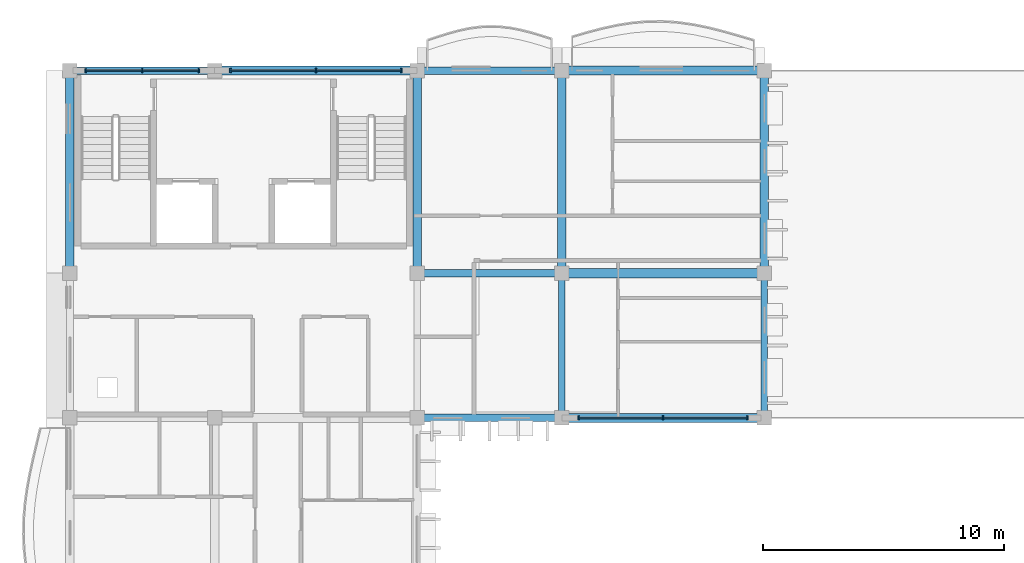
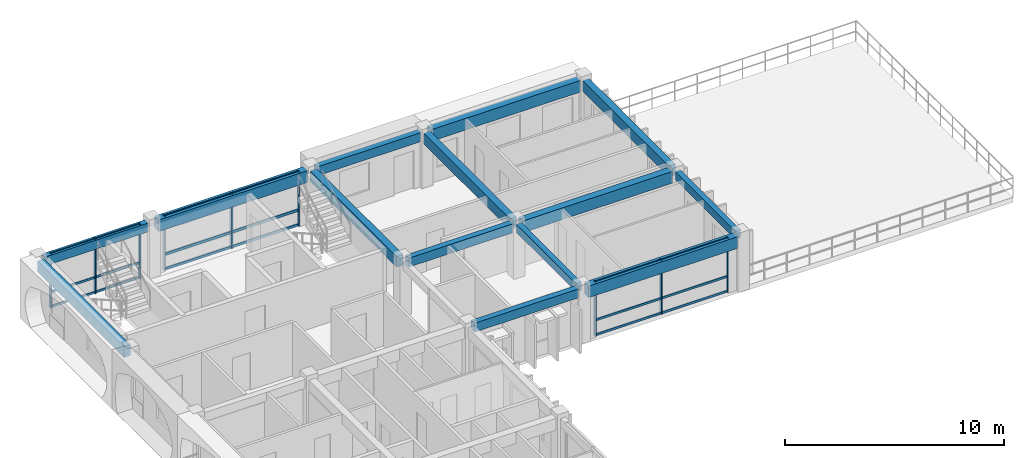
# One storey, part 3 of 31: 18 members, 14 beams, 3 elements without a shape of their own.
"""IFC4 building model written with IfcOpenShell, lengths in metres."""

import ifcopenshell
import ifcopenshell.guid

model = None  # the IFC model being written
_history = None  # IfcOwnerHistory: only IFC2X3 demands one
_inside = {}  # id of a spatial element -> (the spatial element, [elements in it])
_under = {}  # id of a project, library or spatial element -> (it, [spatial elements below it])
_declared = {}  # id of a project -> (the project, [libraries it declares])
_typed = {}  # id of a type object -> (the type object, [elements of that type])
_made_of = {}  # id of a material, layer set ... -> (it, [elements and type objects made of it])


def new_model(schema):
    """Start an empty IFC model of exactly this schema.

    Asked for "IFC4X3", IfcOpenShell would pick the latest addendum, in which some entities
    have other attributes; the version numbers below select the first issue.
    IFC2X3 requires an IfcOwnerHistory on every rooted entity: one is made here for all.
    """
    global model, _history
    if schema == "IFC4X3":
        model = ifcopenshell.file(schema_version=(4, 3, 0, 0))
    else:
        model = ifcopenshell.file(schema=schema)
    _inside.clear()
    _under.clear()
    _declared.clear()
    _typed.clear()
    _made_of.clear()
    _history = None
    if model.schema == "IFC2X3":
        org = make("IfcOrganization", Name="unknown")
        user = make(
            "IfcPersonAndOrganization",
            ThePerson=make("IfcPerson", FamilyName="unknown"),
            TheOrganization=org,
        )
        app = make(
            "IfcApplication",
            ApplicationDeveloper=org,
            Version="unknown",
            ApplicationFullName="unknown",
            ApplicationIdentifier="unknown",
        )
        _history = make(
            "IfcOwnerHistory",
            OwningUser=user,
            OwningApplication=app,
            ChangeAction="ADDED",
            CreationDate=0,
        )
    return model


def make(cls, **values):
    """One entity of the class cls with the attributes given. An attribute that is None is left unset."""
    return model.create_entity(
        cls, **{name: value for name, value in values.items() if value is not None}
    )


def rooted(cls, **values):
    """An entity with a GlobalId (a new one), such as an element, a storey or a relation."""
    return make(cls, GlobalId=ifcopenshell.guid.new(), OwnerHistory=_history, **values)


def si_unit(unit_type, name, prefix=None):
    """IfcSIUnit, for example si_unit("LENGTHUNIT", "METRE", prefix="MILLI")."""
    return make("IfcSIUnit", UnitType=unit_type, Prefix=prefix, Name=name)


def assignment(units):
    """IfcUnitAssignment: the units of a project."""
    return None if units is None else make("IfcUnitAssignment", Units=units)


def point(xyz):
    """IfcCartesianPoint."""
    return None if xyz is None else make("IfcCartesianPoint", Coordinates=xyz)


def direction(xyz):
    """IfcDirection."""
    return None if xyz is None else make("IfcDirection", DirectionRatios=xyz)


def frame(location, z_axis=None, x_axis=None):
    """IfcAxis2Placement3D, a coordinate frame: its origin and axes. An axis left out is left unset."""
    return make(
        "IfcAxis2Placement3D",
        Location=point(location),
        Axis=direction(z_axis),
        RefDirection=direction(x_axis),
    )


def frame_2d(location, x_axis=None):
    """IfcAxis2Placement2D, a coordinate frame in the plane: its origin and x axis."""
    return make(
        "IfcAxis2Placement2D", Location=point(location), RefDirection=direction(x_axis)
    )


def origin():
    """The frame at (0, 0, 0) with its axes left unset."""
    return frame((0.0, 0.0, 0.0))


def origin_2d():
    """The frame at (0, 0) in the plane with its x axis left unset."""
    return frame_2d((0.0, 0.0))


def place(relative_to, where):
    """IfcLocalPlacement: puts the frame where relative to a parent placement (None: the world)."""
    return make(
        "IfcLocalPlacement", PlacementRelTo=relative_to, RelativePlacement=where
    )


def context(
    kind, dimensions, precision=None, world=None, true_north=None, identifier=None
):
    """IfcGeometricRepresentationContext, for example the 3D "Model" context."""
    return make(
        "IfcGeometricRepresentationContext",
        ContextIdentifier=identifier,
        ContextType=kind,
        CoordinateSpaceDimension=dimensions,
        Precision=precision,
        WorldCoordinateSystem=world,
        TrueNorth=true_north,
    )


def subcontext(parent, identifier, kind, view, scale=None):
    """IfcGeometricRepresentationSubContext, for example "Body" below "Model"."""
    return make(
        "IfcGeometricRepresentationSubContext",
        ContextIdentifier=identifier,
        ContextType=kind,
        ParentContext=parent,
        TargetScale=scale,
        TargetView=view,
    )


def project(units=None, contexts=None):
    """IfcProject with its units and contexts."""
    return rooted(
        "IfcProject",
        Name="project",
        RepresentationContexts=contexts,
        UnitsInContext=assignment(units),
    )


def spatial(cls, under=None, at=None, **own):
    """A site, building, storey or space (cls), placed at a placement, below another one or the project."""
    s = rooted(cls, ObjectPlacement=at, **own)
    if under is not None:
        _under.setdefault(under.id(), (under, []))[1].append(s)
    return s


def profile(cls, at=None, kind="AREA", **sizes):
    """A parametric profile (cls). Its sizes go by their IFC names, for example OverallWidth=200.0."""
    return make(cls, ProfileType=kind, Position=at, **sizes)


def rectangle(**sizes):
    """IfcRectangleProfileDef."""
    return profile("IfcRectangleProfileDef", **sizes)


def extrude(swept, where, along, depth):
    """IfcExtrudedAreaSolid: the profile swept, set in the frame where, extruded along a direction by depth."""
    return make(
        "IfcExtrudedAreaSolid",
        SweptArea=swept,
        Position=where,
        ExtrudedDirection=direction(along),
        Depth=depth,
    )


def shape(context_of_items, identifier, shape_type, items):
    """IfcShapeRepresentation: the items that make up one representation, for example the "Body"."""
    return make(
        "IfcShapeRepresentation",
        ContextOfItems=context_of_items,
        RepresentationIdentifier=identifier,
        RepresentationType=shape_type,
        Items=items,
    )


def material(Name=None, Category=None):
    """IfcMaterial."""
    return make("IfcMaterial", Name=Name, Category=Category)


def material_profile(
    of_material, cross_section, Name=None, Category=None, Priority=None
):
    """IfcMaterialProfile: a cross section and its material."""
    return make(
        "IfcMaterialProfile",
        Name=Name,
        Material=of_material,
        Profile=cross_section,
        Priority=Priority,
        Category=Category,
    )


def profile_set(profiles, Name=None, composite=None):
    """IfcMaterialProfileSet."""
    return make(
        "IfcMaterialProfileSet",
        Name=Name,
        MaterialProfiles=profiles,
        CompositeProfile=composite,
    )


def made_of(thing, what):
    """Note that an element or type object is made of a material, layer set ...; save() writes the relation."""
    if what is not None:
        _made_of.setdefault(what.id(), (what, []))[1].append(thing)
    return thing


def type_object(cls, material=None, **own):
    """A type object (cls), such as IfcWallType, which elements share."""
    return made_of(rooted(cls, **own), material)


def element(
    cls,
    number,
    at=None,
    inside=None,
    cuts=None,
    type_object=None,
    material=None,
    context=None,
    identifier="Body",
    shape_type=None,
    held_by="IfcProductDefinitionShape",
    body=None,
    shapes=None,
    **own,
):
    """One element of the class cls, such as IfcWall. Its Tag is "e" and its number.

    at: its placement. inside: the storey or other place that contains it. cuts: it is an
    opening in that element (IfcRelVoidsElement). A single representation is given by context,
    identifier, shape_type and body (its items); several are given by shapes. held_by: the class
    of the entity that holds the representations. save() writes the other relations.
    """
    e = rooted(cls, Tag="e%d" % number, ObjectPlacement=at, **own)
    if body is not None:
        shapes = [shape(context, identifier, shape_type, body)]
    if shapes is not None:
        e.Representation = make(held_by, Representations=shapes)
    if inside is not None:
        _inside.setdefault(inside.id(), (inside, []))[1].append(e)
    if cuts is not None:
        rooted(
            "IfcRelVoidsElement", RelatingBuildingElement=cuts, RelatedOpeningElement=e
        )
    if type_object is not None:
        _typed.setdefault(type_object.id(), (type_object, []))[1].append(e)
    return made_of(e, material)


def aggregate(whole, parts):
    """IfcRelAggregates: a whole, such as a stair, and the parts it consists of."""
    return rooted("IfcRelAggregates", RelatingObject=whole, RelatedObjects=parts)


def save(model, path):
    """Write the relations noted so far, then the file.

    IfcRelAggregates (storeys below a building ...), IfcRelContainedInSpatialStructure (elements
    in a storey), IfcRelDefinesByType, IfcRelAssociatesMaterial and IfcRelDeclares: one each for
    every whole, place, type object, material and project.
    """
    for whole, parts in _under.values():
        aggregate(whole, parts)
    for where, things in _inside.values():
        rooted(
            "IfcRelContainedInSpatialStructure",
            RelatedElements=things,
            RelatingStructure=where,
        )
    for kind, things in _typed.values():
        rooted("IfcRelDefinesByType", RelatedObjects=things, RelatingType=kind)
    for what, things in _made_of.values():
        rooted("IfcRelAssociatesMaterial", RelatedObjects=things, RelatingMaterial=what)
    for by, libraries in _declared.values():
        rooted("IfcRelDeclares", RelatingContext=by, RelatedDefinitions=libraries)
    model.write(path)


model = new_model("IFC4")

# Units and contexts
model_context = context("Model", 3, precision=1e-05, world=origin(), true_north=direction((0.0, 1.0)))
body_context = subcontext(model_context, "Body", "Model", "MODEL_VIEW")
ifc_project = project(units=[si_unit("LENGTHUNIT", "METRE"), si_unit("AREAUNIT", "SQUARE_METRE"), si_unit("VOLUMEUNIT", "CUBIC_METRE"), si_unit("PLANEANGLEUNIT", "RADIAN"), si_unit("MASSUNIT", "GRAM", prefix="KILO"), si_unit("THERMODYNAMICTEMPERATUREUNIT", "KELVIN")], contexts=[model_context])

# Site, building, storey
site_placement = place(None, origin())
site = spatial("IfcSite", under=ifc_project, at=site_placement, CompositionType="ELEMENT")
building_placement = place(site_placement, origin())
building = spatial("IfcBuilding", under=site, at=building_placement, Name="Thalorik Housing Commons", CompositionType="ELEMENT")
storey_placement = place(building_placement, frame((0.0, 0.0, 37.800048828125)))
storey = spatial("IfcBuildingStorey", under=building, at=storey_placement, Name="L11", CompositionType="ELEMENT", Elevation=37.800048828125)

# Curtain wall, members
ifc_material_1 = material(Name="Anodised aluminium and solar-control low-E glass", Category="aluminium")
curtain_wall_type_1 = type_object("IfcCurtainWallType", Name="ARC-CW-LOUNGE", PredefinedType="USERDEFINED", material=ifc_material_1)
curtain_wall_1_placement = place(storey_placement, origin())
curtain_wall_1 = element("IfcCurtainWall", 1, at=curtain_wall_1_placement, inside=storey, type_object=curtain_wall_type_1, Name="L11 Curtain Wall CW-RES-L11-A-047", ObjectType="CURTAIN WALL", PredefinedType="USERDEFINED")
ifc_material_2 = material(Name="Anodised aluminium 6063-T6", Category="aluminium")
ifc_material_profile_1 = material_profile(ifc_material_2, rectangle(XDim=0.06005859375, YDim=0.159912109375, at=origin_2d()), Name="ALU MUL 60x160", Category="aluminium")
ifc_profile_set_1 = profile_set([ifc_material_profile_1], Name="Anodised aluminium 6063-T6")
member_type_1 = type_object("IfcMemberType", Name="ARC-CW-MUL-60x160", PredefinedType="MULLION", material=ifc_profile_set_1)
member_1_placement = place(storey_placement, frame((29.5, 109.199951171875, 0.0), z_axis=(0.0, 0.0, 1.0), x_axis=(1.0, 0.0, 0.0)))
member_1 = element("IfcMember", 2, at=member_1_placement, type_object=member_type_1, Name="CW-RES-L11-A-047 Mullion 1", PredefinedType="MULLION", context=body_context, shape_type="SweptSolid", body=[
    extrude(rectangle(XDim=0.06005859375, YDim=0.159912109375, at=origin_2d()), origin(), (0.0, 0.0, 1.0), 3.0400390625),
])
member_2_placement = place(storey_placement, frame((33.0, 109.199951171875, 0.0), z_axis=(0.0, 0.0, 1.0), x_axis=(1.0, 0.0, 0.0)))
member_2 = element("IfcMember", 3, at=member_2_placement, type_object=member_type_1, Name="CW-RES-L11-A-047 Mullion 2", PredefinedType="MULLION", context=body_context, shape_type="SweptSolid", body=[
    extrude(rectangle(XDim=0.06005859375, YDim=0.159912109375, at=origin_2d()), origin(), (0.0, 0.0, 1.0), 3.0400390625),
])
member_3_placement = place(storey_placement, frame((36.5, 109.199951171875, 0.0), z_axis=(0.0, 0.0, 1.0), x_axis=(1.0, 0.0, 0.0)))
member_3 = element("IfcMember", 4, at=member_3_placement, type_object=member_type_1, Name="CW-RES-L11-A-047 Mullion 3", PredefinedType="MULLION", context=body_context, shape_type="SweptSolid", body=[
    extrude(rectangle(XDim=0.06005859375, YDim=0.159912109375, at=origin_2d()), origin(), (0.0, 0.0, 1.0), 3.0400390625),
])

curtain_wall_type_2 = type_object("IfcCurtainWallType", Name="ARC-CW-CORE", PredefinedType="USERDEFINED", material=ifc_material_1)
curtain_wall_2_placement = place(storey_placement, origin())
curtain_wall_2 = element("IfcCurtainWall", 5, at=curtain_wall_2_placement, inside=storey, type_object=curtain_wall_type_2, Name="L11 Curtain Wall CW-CORE-L11-A-049", ObjectType="CURTAIN WALL", PredefinedType="USERDEFINED")
member_4_placement = place(storey_placement, frame((13.75, 123.60009765625, 0.0), z_axis=(0.0, 0.0, 1.0), x_axis=(-1.0, 0.0, 0.0)))
member_4 = element("IfcMember", 6, at=member_4_placement, type_object=member_type_1, Name="CW-CORE-L11-A-049 Mullion 1", PredefinedType="MULLION", context=body_context, shape_type="SweptSolid", body=[
    extrude(rectangle(XDim=0.06005859375, YDim=0.159912109375, at=origin_2d()), origin(), (0.0, 0.0, 1.0), 3.0400390625),
])
member_5_placement = place(storey_placement, frame((11.39990234375, 123.60009765625, 0.0), z_axis=(0.0, 0.0, 1.0), x_axis=(-1.0, 0.0, 0.0)))
member_5 = element("IfcMember", 7, at=member_5_placement, type_object=member_type_1, Name="CW-CORE-L11-A-049 Mullion 2", PredefinedType="MULLION", context=body_context, shape_type="SweptSolid", body=[
    extrude(rectangle(XDim=0.06005859375, YDim=0.159912109375, at=origin_2d()), origin(), (0.0, 0.0, 1.0), 3.0400390625),
])
member_6_placement = place(storey_placement, frame((9.050048828125, 123.60009765625, 0.0), z_axis=(0.0, 0.0, 1.0), x_axis=(-1.0, 0.0, 0.0)))
member_6 = element("IfcMember", 8, at=member_6_placement, type_object=member_type_1, Name="CW-CORE-L11-A-049 Mullion 3", PredefinedType="MULLION", context=body_context, shape_type="SweptSolid", body=[
    extrude(rectangle(XDim=0.06005859375, YDim=0.159912109375, at=origin_2d()), origin(), (0.0, 0.0, 1.0), 3.0400390625),
])

curtain_wall_3_placement = place(storey_placement, origin())
curtain_wall_3 = element("IfcCurtainWall", 9, at=curtain_wall_3_placement, inside=storey, type_object=curtain_wall_type_2, Name="L11 Curtain Wall CW-CORE-L11-A-048", ObjectType="CURTAIN WALL", PredefinedType="USERDEFINED")
ifc_material_profile_2 = material_profile(ifc_material_2, rectangle(XDim=0.06494140625, YDim=0.179931640625, at=origin_2d()), Name="ALU MUL 65x180", Category="aluminium")
ifc_profile_set_2 = profile_set([ifc_material_profile_2], Name="Anodised aluminium 6063-T6")
member_type_2 = type_object("IfcMemberType", Name="ARC-CW-MUL-65x180", PredefinedType="MULLION", material=ifc_profile_set_2)
member_7_placement = place(storey_placement, frame((22.14990234375, 123.60009765625, 0.0), z_axis=(0.0, 0.0, 1.0), x_axis=(-1.0, 0.0, 0.0)))
member_7 = element("IfcMember", 10, at=member_7_placement, type_object=member_type_2, Name="CW-CORE-L11-A-048 Mullion 1", PredefinedType="MULLION", context=body_context, shape_type="SweptSolid", body=[
    extrude(rectangle(XDim=0.06494140625, YDim=0.179931640625, at=origin_2d()), origin(), (0.0, 0.0, 1.0), 3.0400390625),
])
member_8_placement = place(storey_placement, frame((18.60009765625, 123.60009765625, 0.0), z_axis=(0.0, 0.0, 1.0), x_axis=(-1.0, 0.0, 0.0)))
member_8 = element("IfcMember", 11, at=member_8_placement, type_object=member_type_2, Name="CW-CORE-L11-A-048 Mullion 2", PredefinedType="MULLION", context=body_context, shape_type="SweptSolid", body=[
    extrude(rectangle(XDim=0.06494140625, YDim=0.179931640625, at=origin_2d()), origin(), (0.0, 0.0, 1.0), 3.0400390625),
])
member_9_placement = place(storey_placement, frame((15.050048828125, 123.60009765625, 0.0), z_axis=(0.0, 0.0, 1.0), x_axis=(-1.0, 0.0, 0.0)))
member_9 = element("IfcMember", 12, at=member_9_placement, type_object=member_type_2, Name="CW-CORE-L11-A-048 Mullion 3", PredefinedType="MULLION", context=body_context, shape_type="SweptSolid", body=[
    extrude(rectangle(XDim=0.06494140625, YDim=0.179931640625, at=origin_2d()), origin(), (0.0, 0.0, 1.0), 3.0400390625),
])

# Member
ifc_material_profile_3 = material_profile(ifc_material_2, rectangle(XDim=0.06005859375, YDim=0.1201171875, at=origin_2d()), Name="ALU TRN 60x120", Category="aluminium")
ifc_profile_set_3 = profile_set([ifc_material_profile_3], Name="Anodised aluminium 6063-T6")
member_type_3 = type_object("IfcMemberType", Name="ARC-CW-TRN-60x120", PredefinedType="USERDEFINED", material=ifc_profile_set_3)
member_10_placement = place(storey_placement, frame((29.5, 109.199951171875, 0.054931640625), z_axis=(1.0, 0.0, 0.0), x_axis=(0.0, 1.0, 0.0)))
member_10 = element("IfcMember", 13, at=member_10_placement, type_object=member_type_3, Name="CW-RES-L11-A-047 Transom 1", ObjectType="TRANSOM", PredefinedType="USERDEFINED", context=body_context, shape_type="SweptSolid", body=[
    extrude(rectangle(XDim=0.06005859375, YDim=0.1201171875, at=origin_2d()), origin(), (0.0, 0.0, 1.0), 7.0),
])

member_11_placement = place(storey_placement, frame((29.5, 109.199951171875, 0.8798828125), z_axis=(1.0, 0.0, 0.0), x_axis=(0.0, 1.0, 0.0)))
member_11 = element("IfcMember", 14, at=member_11_placement, type_object=member_type_3, Name="CW-RES-L11-A-047 Transom 2", ObjectType="TRANSOM", PredefinedType="USERDEFINED", context=body_context, shape_type="SweptSolid", body=[
    extrude(rectangle(XDim=0.06005859375, YDim=0.1201171875, at=origin_2d()), origin(), (0.0, 0.0, 1.0), 7.0),
])

member_12_placement = place(storey_placement, frame((29.5, 109.199951171875, 2.98486328125), z_axis=(1.0, 0.0, 0.0), x_axis=(0.0, 1.0, 0.0)))
member_12 = element("IfcMember", 15, at=member_12_placement, type_object=member_type_3, Name="CW-RES-L11-A-047 Transom 3", ObjectType="TRANSOM", PredefinedType="USERDEFINED", context=body_context, shape_type="SweptSolid", body=[
    extrude(rectangle(XDim=0.06005859375, YDim=0.1201171875, at=origin_2d()), origin(), (0.0, 0.0, 1.0), 7.0),
])

aggregate(curtain_wall_1, [member_1, member_2, member_3, member_10, member_11, member_12])

member_13_placement = place(storey_placement, frame((13.75, 123.60009765625, 0.054931640625), z_axis=(-1.0, 0.0, 0.0), x_axis=(0.0, -1.0, 0.0)))
member_13 = element("IfcMember", 16, at=member_13_placement, type_object=member_type_3, Name="CW-CORE-L11-A-049 Transom 1", ObjectType="TRANSOM", PredefinedType="USERDEFINED", context=body_context, shape_type="SweptSolid", body=[
    extrude(rectangle(XDim=0.06005859375, YDim=0.1201171875, at=origin_2d()), origin(), (0.0, 0.0, 1.0), 4.699951171875),
])

member_14_placement = place(storey_placement, frame((13.75, 123.60009765625, 0.8798828125), z_axis=(-1.0, 0.0, 0.0), x_axis=(0.0, -1.0, 0.0)))
member_14 = element("IfcMember", 17, at=member_14_placement, type_object=member_type_3, Name="CW-CORE-L11-A-049 Transom 2", ObjectType="TRANSOM", PredefinedType="USERDEFINED", context=body_context, shape_type="SweptSolid", body=[
    extrude(rectangle(XDim=0.06005859375, YDim=0.1201171875, at=origin_2d()), origin(), (0.0, 0.0, 1.0), 4.699951171875),
])

member_15_placement = place(storey_placement, frame((13.75, 123.60009765625, 2.98486328125), z_axis=(-1.0, 0.0, 0.0), x_axis=(0.0, -1.0, 0.0)))
member_15 = element("IfcMember", 18, at=member_15_placement, type_object=member_type_3, Name="CW-CORE-L11-A-049 Transom 3", ObjectType="TRANSOM", PredefinedType="USERDEFINED", context=body_context, shape_type="SweptSolid", body=[
    extrude(rectangle(XDim=0.06005859375, YDim=0.1201171875, at=origin_2d()), origin(), (0.0, 0.0, 1.0), 4.699951171875),
])

aggregate(curtain_wall_2, [member_4, member_5, member_6, member_13, member_14, member_15])

ifc_material_profile_4 = material_profile(ifc_material_2, rectangle(XDim=0.06494140625, YDim=0.14990234375, at=origin_2d()), Name="ALU TRN 65x150", Category="aluminium")
ifc_profile_set_4 = profile_set([ifc_material_profile_4], Name="Anodised aluminium 6063-T6")
member_type_4 = type_object("IfcMemberType", Name="ARC-CW-TRN-65x150", PredefinedType="USERDEFINED", material=ifc_profile_set_4)
member_16_placement = place(storey_placement, frame((22.14990234375, 123.60009765625, 0.054931640625), z_axis=(-1.0, 0.0, 0.0), x_axis=(0.0, -1.0, 0.0)))
member_16 = element("IfcMember", 19, at=member_16_placement, type_object=member_type_4, Name="CW-CORE-L11-A-048 Transom 1", ObjectType="TRANSOM", PredefinedType="USERDEFINED", context=body_context, shape_type="SweptSolid", body=[
    extrude(rectangle(XDim=0.06494140625, YDim=0.14990234375, at=origin_2d()), origin(), (0.0, 0.0, 1.0), 7.099853515625),
])

member_17_placement = place(storey_placement, frame((22.14990234375, 123.60009765625, 0.8798828125), z_axis=(-1.0, 0.0, 0.0), x_axis=(0.0, -1.0, 0.0)))
member_17 = element("IfcMember", 20, at=member_17_placement, type_object=member_type_4, Name="CW-CORE-L11-A-048 Transom 2", ObjectType="TRANSOM", PredefinedType="USERDEFINED", context=body_context, shape_type="SweptSolid", body=[
    extrude(rectangle(XDim=0.06494140625, YDim=0.14990234375, at=origin_2d()), origin(), (0.0, 0.0, 1.0), 7.099853515625),
])

member_18_placement = place(storey_placement, frame((22.14990234375, 123.60009765625, 2.98486328125), z_axis=(-1.0, 0.0, 0.0), x_axis=(0.0, -1.0, 0.0)))
member_18 = element("IfcMember", 21, at=member_18_placement, type_object=member_type_4, Name="CW-CORE-L11-A-048 Transom 3", ObjectType="TRANSOM", PredefinedType="USERDEFINED", context=body_context, shape_type="SweptSolid", body=[
    extrude(rectangle(XDim=0.06494140625, YDim=0.14990234375, at=origin_2d()), origin(), (0.0, 0.0, 1.0), 7.099853515625),
])

aggregate(curtain_wall_3, [member_7, member_8, member_9, member_16, member_17, member_18])

# Beams
ifc_material_3 = material(Name="Precast concrete C40/50", Category="concrete")
ifc_material_profile_5 = material_profile(ifc_material_3, rectangle(XDim=0.280029296875, YDim=0.449951171875, at=origin_2d()), Name="PC 280x450", Category="concrete")
ifc_profile_set_5 = profile_set([ifc_material_profile_5], Name="Precast concrete C40/50")
beam_type_1 = type_object("IfcBeamType", Name="STR-BM-PC280x450", PredefinedType="BEAM", material=ifc_profile_set_5)
for number, where, z_axis, x_axis, name in (
    (22, (28.800048828125, 109.449951171875, 2.81494140625), (0.0, 1.0, 0.0), (-1.0, 0.0, 0.0), "L11 Beam B-450"),
    (23, (37.199951171875, 109.449951171875, 2.81494140625), (0.0, 1.0, 0.0), (-1.0, 0.0, 0.0), "L11 Beam B-450"),
):
    element("IfcBeam", number, at=place(storey_placement, frame(where, z_axis=z_axis, x_axis=x_axis)), inside=storey, type_object=beam_type_1, Name=name, PredefinedType="BEAM", context=body_context, shape_type="SweptSolid", body=[
        extrude(rectangle(XDim=0.280029296875, YDim=0.449951171875, at=origin_2d()), origin(), (0.0, 0.0, 1.0), 5.5),
    ])
ifc_material_profile_6 = material_profile(ifc_material_3, rectangle(XDim=0.300048828125, YDim=0.5, at=origin_2d()), Name="PC 300x500", Category="concrete")
ifc_profile_set_6 = profile_set([ifc_material_profile_6], Name="Precast concrete C40/50")
beam_type_2 = type_object("IfcBeamType", Name="STR-BM-PC300x500", PredefinedType="BEAM", material=ifc_profile_set_6)
for number, where, z_axis, x_axis, name in (
    (24, (23.050048828125, 109.199951171875, 2.7900390625), (1.0, 0.0, 0.0), (0.0, 1.0, 0.0), "L11 Beam B-500"),
    (25, (23.050048828125, 115.199951171875, 2.7900390625), (1.0, 0.0, 0.0), (0.0, 1.0, 0.0), "L11 Beam B-500"),
    (26, (8.64990234375, 123.60009765625, 2.7900390625), (1.0, 0.0, 0.0), (0.0, 1.0, 0.0), "L11 Beam B-500"),
    (27, (23.050048828125, 123.60009765625, 2.7900390625), (1.0, 0.0, 0.0), (0.0, 1.0, 0.0), "L11 Beam B-500"),
):
    element("IfcBeam", number, at=place(storey_placement, frame(where, z_axis=z_axis, x_axis=x_axis)), inside=storey, type_object=beam_type_2, Name=name, PredefinedType="BEAM", context=body_context, shape_type="SweptSolid", body=[
        extrude(rectangle(XDim=0.300048828125, YDim=0.5, at=origin_2d()), origin(), (0.0, 0.0, 1.0), 5.5),
    ])
ifc_material_profile_7 = material_profile(ifc_material_3, rectangle(XDim=0.35009765625, YDim=0.60009765625, at=origin_2d()), Name="PC 350x600", Category="concrete")
ifc_profile_set_7 = profile_set([ifc_material_profile_7], Name="Precast concrete C40/50")
beam_type_3 = type_object("IfcBeamType", Name="STR-BM-PC350x600", PredefinedType="BEAM", material=ifc_profile_set_7)
for number, where, z_axis, x_axis, name in (
    (28, (8.39990234375, 115.449951171875, 2.739990234375), (0.0, 1.0, 0.0), (-1.0, 0.0, 0.0), "L11 Beam B-600"),
    (29, (22.800048828125, 115.449951171875, 2.739990234375), (0.0, 1.0, 0.0), (-1.0, 0.0, 0.0), "L11 Beam B-600"),
    (30, (28.800048828125, 115.449951171875, 2.739990234375), (0.0, 1.0, 0.0), (-1.0, 0.0, 0.0), "L11 Beam B-600"),
    (31, (37.199951171875, 115.449951171875, 2.739990234375), (0.0, 1.0, 0.0), (-1.0, 0.0, 0.0), "L11 Beam B-600"),
):
    element("IfcBeam", number, at=place(storey_placement, frame(where, z_axis=z_axis, x_axis=x_axis)), inside=storey, type_object=beam_type_3, Name=name, PredefinedType="BEAM", context=body_context, shape_type="SweptSolid", body=[
        extrude(rectangle(XDim=0.35009765625, YDim=0.60009765625, at=origin_2d()), origin(), (0.0, 0.0, 1.0), 7.900146484375),
    ])
ifc_material_profile_8 = material_profile(ifc_material_3, rectangle(XDim=0.3798828125, YDim=0.64990234375, at=origin_2d()), Name="PC 380x650", Category="concrete")
ifc_profile_set_8 = profile_set([ifc_material_profile_8], Name="Precast concrete C40/50")
beam_type_4 = type_object("IfcBeamType", Name="STR-BM-PC380x650", PredefinedType="BEAM", material=ifc_profile_set_8)
for number, where, z_axis, x_axis, name in (
    (32, (29.050048828125, 109.199951171875, 2.71484375), (1.0, 0.0, 0.0), (0.0, 1.0, 0.0), "L11 Beam B-650"),
    (33, (29.050048828125, 115.199951171875, 2.71484375), (1.0, 0.0, 0.0), (0.0, 1.0, 0.0), "L11 Beam B-650"),
):
    element("IfcBeam", number, at=place(storey_placement, frame(where, z_axis=z_axis, x_axis=x_axis)), inside=storey, type_object=beam_type_4, Name=name, PredefinedType="BEAM", context=body_context, shape_type="SweptSolid", body=[
        extrude(rectangle(XDim=0.3798828125, YDim=0.64990234375, at=origin_2d()), origin(), (0.0, 0.0, 1.0), 7.89990234375),
    ])
beam_1_placement = place(storey_placement, frame((14.64990234375, 123.60009765625, 2.71484375), z_axis=(1.0, 0.0, 0.0), x_axis=(0.0, 1.0, 0.0)))
element("IfcBeam", 34, at=beam_1_placement, inside=storey, type_object=beam_type_4, Name="L11 Beam B-650", PredefinedType="BEAM", context=body_context, shape_type="SweptSolid", body=[
    extrude(rectangle(XDim=0.3798828125, YDim=0.64990234375, at=origin_2d()), origin(), (0.0, 0.0, 1.0), 7.900146484375),
])
beam_2_placement = place(storey_placement, frame((29.050048828125, 123.60009765625, 2.71484375), z_axis=(1.0, 0.0, 0.0), x_axis=(0.0, 1.0, 0.0)))
element("IfcBeam", 35, at=beam_2_placement, inside=storey, type_object=beam_type_4, Name="L11 Beam B-650", PredefinedType="BEAM", context=body_context, shape_type="SweptSolid", body=[
    extrude(rectangle(XDim=0.3798828125, YDim=0.64990234375, at=origin_2d()), origin(), (0.0, 0.0, 1.0), 7.89990234375),
])

save(model, "model.ifc")
